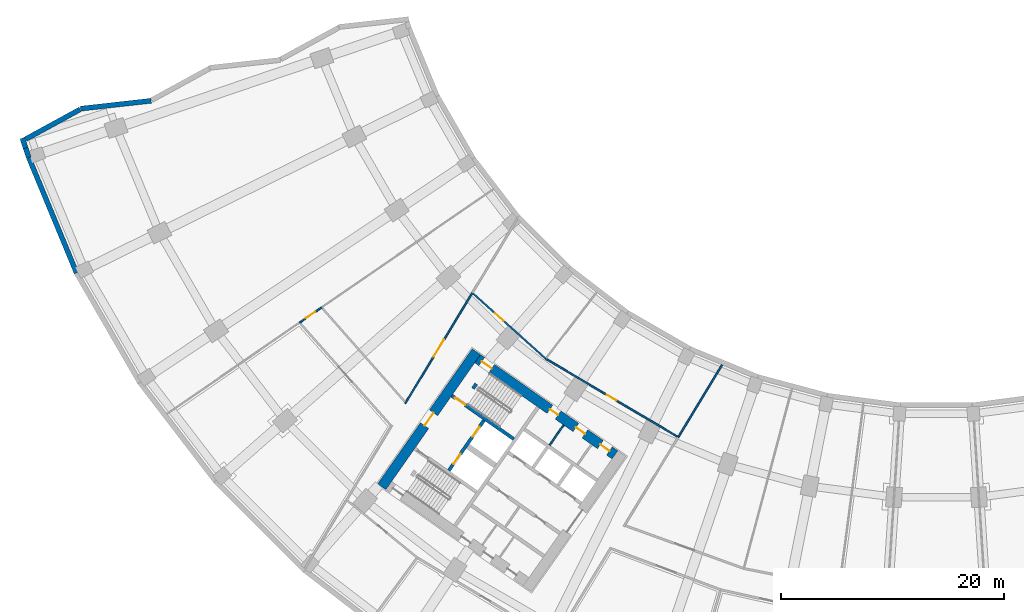
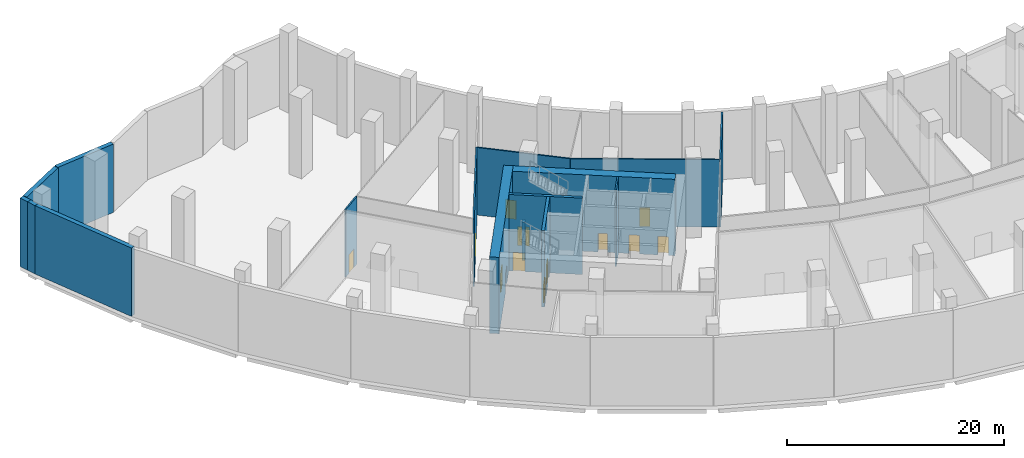
# One storey, part 6 of 17: 16 walls, 12 doors, 12 openings.
"""IFC4 building model written with IfcOpenShell, lengths in metres."""

from ifc_helpers import new_model, si_unit, direction, frame, frame_2d, origin, place, context, subcontext, project, spatial, rectangle, extrude, material, layer, layer_set, type_object, element, fill, save


model = new_model("IFC4")

# Units and contexts
model_context = context("Model", 3, precision=1e-05, world=origin(), true_north=direction((0.0, 1.0)))
body_context = subcontext(model_context, "Body", "Model", "MODEL_VIEW")
ifc_project = project(units=[si_unit("LENGTHUNIT", "METRE"), si_unit("AREAUNIT", "SQUARE_METRE"), si_unit("VOLUMEUNIT", "CUBIC_METRE"), si_unit("PLANEANGLEUNIT", "RADIAN"), si_unit("MASSUNIT", "GRAM", prefix="KILO")], contexts=[model_context])

# Site, building, storey
site_placement = place(None, origin())
site = spatial("IfcSite", under=ifc_project, at=site_placement, CompositionType="ELEMENT")
building_placement = place(site_placement, origin())
building = spatial("IfcBuilding", under=site, at=building_placement, Name="Qamariyya Broadcast Tower", CompositionType="ELEMENT")
storey_placement = place(building_placement, frame((0.0, 0.0, 18.0)))
storey = spatial("IfcBuildingStorey", under=building, at=storey_placement, Name="L02", CompositionType="ELEMENT", Elevation=18.0)

# Wall, opening, door
ifc_material_1 = material(Name="Concrete C70/85", Category="concrete")
ifc_layer_1 = layer(ifc_material_1, 0.89990234375)
ifc_layer_set_1 = layer_set([ifc_layer_1], Name="Core wall 900 mm Concrete C70/85")
wall_type_1 = type_object("IfcWallType", Name="Core wall 900 mm Concrete C70/85", PredefinedType="SHEAR", material=ifc_layer_set_1)
wall_1_placement = place(storey_placement, frame((-49.778564453125, -57.191162109375, 0.0), z_axis=(0.0, 0.0, 1.0), x_axis=(0.573577477574, 0.819151315216, 0.0)))
wall_1 = element("IfcWall", 1, at=wall_1_placement, inside=storey, type_object=wall_type_1, Name="k-W-L02-WH", PredefinedType="SHEAR", context=body_context, shape_type="SweptSolid", body=[
    extrude(rectangle(XDim=14.800048828125, YDim=0.89990234375, at=frame_2d((7.39990234375, 0.0))), origin(), (0.0, 0.0, 1.0), 8.60009765625),
])
opening_1_placement = place(wall_1_placement, frame((6.699951171875, 0.0, 0.0)))
opening_1 = element("IfcOpeningElement", 2, at=opening_1_placement, cuts=wall_1, Name="Opening KD2-W1", PredefinedType="OPENING", context=body_context, shape_type="SweptSolid", body=[
    extrude(rectangle(XDim=1.39990234375, YDim=2.10009765625, at=frame_2d((0.699951171875, 1.050048828125))), frame((0.0, 0.4599609375, 0.0), z_axis=(0.0, -1.0, 0.0), x_axis=(1.0, 0.0, 0.0)), (0.0, 0.0, 1.0), 0.919921875),
])
ifc_material_2 = material(Name="Steel fire-resisting door leaf", Category="steel")
door_type_1 = type_object("IfcDoorType", Name="Fire-fighting lobby door KD2", OperationType="DOUBLE_DOOR_SINGLE_SWING", PredefinedType="DOOR", material=ifc_material_2)
door_1_placement = place(opening_1_placement, origin())
door_1 = element("IfcDoor", 3, at=door_1_placement, inside=storey, type_object=door_type_1, Name="k-W-L02-WH-D15", OperationType="DOUBLE_DOOR_SINGLE_SWING", OverallHeight=2.10009765625, OverallWidth=1.39990234375, PredefinedType="DOOR", context=body_context, shape_type="SweptSolid", body=[
    extrude(rectangle(XDim=1.39990234375, YDim=2.10009765625, at=frame_2d((0.699951171875, 1.050048828125))), frame((0.0, 0.02490234375, 0.0), z_axis=(0.0, -1.0, 0.0), x_axis=(1.0, 0.0, 0.0)), (0.0, 0.0, 1.0), 0.050048828125),
])
fill(opening_1, door_1)

# Wall, openings, doors
wall_2_placement = place(storey_placement, frame((-28.8544921875, -54.32421875, 0.0), z_axis=(0.0, 0.0, 1.0), x_axis=(-0.819145767589, 0.573585400304, 0.0)))
wall_2 = element("IfcWall", 4, at=wall_2_placement, inside=storey, type_object=wall_type_1, Name="k-W-L02-WI", PredefinedType="SHEAR", context=body_context, shape_type="SweptSolid", body=[
    extrude(rectangle(XDim=15.04541015625, YDim=0.89990234375, at=frame_2d((7.522705078125, 0.0))), origin(), (0.0, 0.0, 1.0), 8.60009765625),
])
opening_2_placement = place(wall_2_placement, frame((0.60009765625, 0.0, 0.0)))
opening_2 = element("IfcOpeningElement", 5, at=opening_2_placement, cuts=wall_2, Name="Opening KD7-W1", PredefinedType="OPENING", context=body_context, shape_type="SweptSolid", body=[
    extrude(rectangle(XDim=1.0, YDim=2.10009765625, at=frame_2d((0.5, 1.050048828125))), frame((0.0, 0.4599609375, 0.0), z_axis=(0.0, -1.0, 0.0), x_axis=(1.0, 0.0, 0.0)), (0.0, 0.0, 1.0), 0.919921875),
])
opening_3_placement = place(wall_2_placement, frame((3.27490234375, 0.0, 0.0)))
opening_3 = element("IfcOpeningElement", 6, at=opening_3_placement, cuts=wall_2, Name="Opening KD6-W2", PredefinedType="OPENING", context=body_context, shape_type="SweptSolid", body=[
    extrude(rectangle(XDim=1.0, YDim=2.10009765625, at=frame_2d((0.5, 1.050048828125))), frame((0.0, 0.4599609375, 0.0), z_axis=(0.0, -1.0, 0.0), x_axis=(1.0, 0.0, 0.0)), (0.0, 0.0, 1.0), 0.919921875),
])
opening_4_placement = place(wall_2_placement, frame((6.22509765625, 0.0, 0.0)))
opening_4 = element("IfcOpeningElement", 7, at=opening_4_placement, cuts=wall_2, Name="Opening KD5-W1", PredefinedType="OPENING", context=body_context, shape_type="SweptSolid", body=[
    extrude(rectangle(XDim=0.89990234375, YDim=2.10009765625, at=frame_2d((0.449951171875, 1.050048828125))), frame((0.0, 0.4599609375, 0.0), z_axis=(0.0, -1.0, 0.0), x_axis=(1.0, 0.0, 0.0)), (0.0, 0.0, 1.0), 0.919921875),
])
opening_5_placement = place(wall_2_placement, frame((13.495361328125, 0.0, 0.0)))
opening_5 = element("IfcOpeningElement", 8, at=opening_5_placement, cuts=wall_2, Name="Opening KD1-W1", PredefinedType="OPENING", context=body_context, shape_type="SweptSolid", body=[
    extrude(rectangle(XDim=1.10009765625, YDim=2.10009765625, at=frame_2d((0.550048828125, 1.050048828125))), frame((0.0, 0.4599609375, 0.0), z_axis=(0.0, -1.0, 0.0), x_axis=(1.0, 0.0, 0.0)), (0.0, 0.0, 1.0), 0.919921875),
])
door_type_2 = type_object("IfcDoorType", Name="Accessible toilet door KD7", OperationType="SINGLE_SWING_LEFT", PredefinedType="DOOR", material=ifc_material_2)
door_2_placement = place(opening_2_placement, origin())
door_2 = element("IfcDoor", 9, at=door_2_placement, inside=storey, type_object=door_type_2, Name="k-W-L02-WI-D7", OperationType="SINGLE_SWING_RIGHT", OverallHeight=2.10009765625, OverallWidth=1.0, PredefinedType="DOOR", context=body_context, shape_type="SweptSolid", body=[
    extrude(rectangle(XDim=1.0, YDim=2.10009765625, at=frame_2d((0.5, 1.050048828125))), frame((0.0, 0.02490234375, 0.0), z_axis=(0.0, -1.0, 0.0), x_axis=(1.0, 0.0, 0.0)), (0.0, 0.0, 1.0), 0.050048828125),
])
fill(opening_2, door_2)
door_type_3 = type_object("IfcDoorType", Name="Core room door KD6", OperationType="SINGLE_SWING_LEFT", PredefinedType="DOOR", material=ifc_material_2)
door_3_placement = place(opening_3_placement, origin())
door_3 = element("IfcDoor", 10, at=door_3_placement, inside=storey, type_object=door_type_3, Name="k-W-L02-WI-D8", OperationType="SINGLE_SWING_LEFT", OverallHeight=2.10009765625, OverallWidth=1.0, PredefinedType="DOOR", context=body_context, shape_type="SweptSolid", body=[
    extrude(rectangle(XDim=1.0, YDim=2.10009765625, at=frame_2d((0.5, 1.050048828125))), frame((0.0, 0.02490234375, 0.0), z_axis=(0.0, -1.0, 0.0), x_axis=(1.0, 0.0, 0.0)), (0.0, 0.0, 1.0), 0.050048828125),
])
fill(opening_3, door_3)
door_type_4 = type_object("IfcDoorType", Name="Stair door KD1", OperationType="SINGLE_SWING_LEFT", PredefinedType="DOOR", material=ifc_material_2)
door_4_placement = place(opening_5_placement, origin())
door_4 = element("IfcDoor", 11, at=door_4_placement, inside=storey, type_object=door_type_4, Name="k-W-L02-WI-D16", OperationType="SINGLE_SWING_RIGHT", OverallHeight=2.10009765625, OverallWidth=1.10009765625, PredefinedType="DOOR", context=body_context, shape_type="SweptSolid", body=[
    extrude(rectangle(XDim=1.10009765625, YDim=2.10009765625, at=frame_2d((0.550048828125, 1.050048828125))), frame((0.0, 0.02490234375, 0.0), z_axis=(0.0, -1.0, 0.0), x_axis=(1.0, 0.0, 0.0)), (0.0, 0.0, 1.0), 0.050048828125),
])
fill(opening_5, door_4)
door_type_5 = type_object("IfcDoorType", Name="Toilet door KD5", OperationType="SINGLE_SWING_LEFT", PredefinedType="DOOR", material=ifc_material_2)
door_5_placement = place(opening_4_placement, origin())
door_5 = element("IfcDoor", 12, at=door_5_placement, inside=storey, type_object=door_type_5, Name="k-W-L02-WI-D9", OperationType="SINGLE_SWING_RIGHT", OverallHeight=2.10009765625, OverallWidth=0.89990234375, PredefinedType="DOOR", context=body_context, shape_type="SweptSolid", body=[
    extrude(rectangle(XDim=0.89990234375, YDim=2.10009765625, at=frame_2d((0.449951171875, 1.050048828125))), frame((0.0, 0.02490234375, 0.0), z_axis=(0.0, -1.0, 0.0), x_axis=(1.0, 0.0, 0.0)), (0.0, 0.0, 1.0), 0.050048828125),
])
fill(opening_4, door_5)

# Wall, opening, door
ifc_material_3 = material(Name="Gypsum board partition")
ifc_layer_2 = layer(ifc_material_3, 0.14990234375)
ifc_layer_set_2 = layer_set([ifc_layer_2], Name="Corridor partition 150 EI 60")
wall_type_2 = type_object("IfcWallType", Name="Corridor partition 150 EI 60", PredefinedType="PARTITIONING", material=ifc_layer_set_2)
wall_3_placement = place(storey_placement, frame((-57.156982421875, -42.4560546875, 0.0), z_axis=(0.0, 0.0, 1.0), x_axis=(0.823667994332, 0.567072336755, 0.0)))
wall_3 = element("IfcWall", 13, at=wall_3_placement, inside=storey, type_object=wall_type_2, Name="Partition L02-002", PredefinedType="PARTITIONING", context=body_context, shape_type="SweptSolid", body=[
    extrude(rectangle(XDim=2.4013671875, YDim=0.14990234375, at=frame_2d((1.20068359375, 0.0))), origin(), (0.0, 0.0, 1.0), 7.60009765625),
])
opening_6_placement = place(wall_3_placement, frame((0.70068359375, 0.0, 0.0)))
opening_6 = element("IfcOpeningElement", 14, at=opening_6_placement, cuts=wall_3, Name="Opening L02-D17", PredefinedType="OPENING", context=body_context, shape_type="SweptSolid", body=[
    extrude(rectangle(XDim=1.0, YDim=2.10009765625, at=frame_2d((0.5, 1.050048828125))), frame((0.0, 0.0849609375, 0.0), z_axis=(0.0, -1.0, 0.0), x_axis=(1.0, 0.0, 0.0)), (0.0, 0.0, 1.0), 0.169921875),
])
ifc_material_4 = material(Name="Timber fire door leaf", Category="wood")
door_type_6 = type_object("IfcDoorType", Name="Fire door 1000 x 2100 FD60", OperationType="NOTDEFINED", PredefinedType="DOOR", material=ifc_material_4)
door_6_placement = place(opening_6_placement, origin())
door_6 = element("IfcDoor", 15, at=door_6_placement, inside=storey, type_object=door_type_6, Name="Door L02-D17", OperationType="SINGLE_SWING_RIGHT", OverallHeight=2.10009765625, OverallWidth=1.0, PredefinedType="DOOR", context=body_context, shape_type="SweptSolid", body=[
    extrude(rectangle(XDim=1.0, YDim=2.10009765625, at=frame_2d((0.5, 1.050048828125))), frame((0.0, 0.02490234375, 0.0), z_axis=(0.0, -1.0, 0.0), x_axis=(1.0, 0.0, 0.0)), (0.0, 0.0, 1.0), 0.050048828125),
])
fill(opening_6, door_6)

wall_4_placement = place(storey_placement, frame((-47.6728515625, -49.70751953125, 0.0), z_axis=(0.0, 0.0, 1.0), x_axis=(0.519159839294, 0.854677167862, 0.0)))
wall_4 = element("IfcWall", 16, at=wall_4_placement, inside=storey, type_object=wall_type_2, Name="Partition L02-011", PredefinedType="PARTITIONING", context=body_context, shape_type="SweptSolid", body=[
    extrude(rectangle(XDim=11.604736328125, YDim=0.14990234375, at=frame_2d((5.80224609375, 0.0))), origin(), (0.0, 0.0, 1.0), 7.60009765625),
])
opening_7_placement = place(wall_4_placement, frame((4.90234375, 0.0, 0.0)))
opening_7 = element("IfcOpeningElement", 17, at=opening_7_placement, cuts=wall_4, Name="Opening L02-D15", PredefinedType="OPENING", context=body_context, shape_type="SweptSolid", body=[
    extrude(rectangle(XDim=1.800048828125, YDim=2.10009765625, at=frame_2d((0.89990234375, 1.050048828125))), frame((0.0, 0.0849609375, 0.0), z_axis=(0.0, -1.0, 0.0), x_axis=(1.0, 0.0, 0.0)), (0.0, 0.0, 1.0), 0.169921875),
])
door_type_7 = type_object("IfcDoorType", Name="Double fire door 1800 x 2100 FD60", OperationType="NOTDEFINED", PredefinedType="DOOR", material=ifc_material_4)
door_7_placement = place(opening_7_placement, origin())
door_7 = element("IfcDoor", 18, at=door_7_placement, inside=storey, type_object=door_type_7, Name="Door L02-D15", OperationType="DOUBLE_DOOR_SINGLE_SWING", OverallHeight=2.10009765625, OverallWidth=1.800048828125, PredefinedType="DOOR", context=body_context, shape_type="SweptSolid", body=[
    extrude(rectangle(XDim=1.800048828125, YDim=2.10009765625, at=frame_2d((0.89990234375, 1.050048828125))), frame((0.0, 0.02490234375, 0.0), z_axis=(0.0, -1.0, 0.0), x_axis=(1.0, 0.0, 0.0)), (0.0, 0.0, 1.0), 0.050048828125),
])
fill(opening_7, door_7)

wall_5_placement = place(storey_placement, frame((-41.59228515625, -39.83935546875, 0.0), z_axis=(0.0, 0.0, 1.0), x_axis=(0.744252572607, -0.667898276812, 0.0)))
wall_5 = element("IfcWall", 19, at=wall_5_placement, inside=storey, type_object=wall_type_2, Name="Partition L02-012", PredefinedType="PARTITIONING", context=body_context, shape_type="SweptSolid", body=[
    extrude(rectangle(XDim=8.770751953125, YDim=0.14990234375, at=frame_2d((4.38525390625, 0.0))), origin(), (0.0, 0.0, 1.0), 7.60009765625),
])
opening_8_placement = place(wall_5_placement, frame((2.685302734375, 0.0, 0.0)))
opening_8 = element("IfcOpeningElement", 20, at=opening_8_placement, cuts=wall_5, Name="Opening L02-D11", PredefinedType="OPENING", context=body_context, shape_type="SweptSolid", body=[
    extrude(rectangle(XDim=1.0, YDim=2.10009765625, at=frame_2d((0.5, 1.050048828125))), frame((0.0, 0.0849609375, 0.0), z_axis=(0.0, -1.0, 0.0), x_axis=(1.0, 0.0, 0.0)), (0.0, 0.0, 1.0), 0.169921875),
])
door_8_placement = place(opening_8_placement, origin())
door_8 = element("IfcDoor", 21, at=door_8_placement, inside=storey, type_object=door_type_6, Name="Door L02-D11", OperationType="SINGLE_SWING_LEFT", OverallHeight=2.10009765625, OverallWidth=1.0, PredefinedType="DOOR", context=body_context, shape_type="SweptSolid", body=[
    extrude(rectangle(XDim=1.0, YDim=2.10009765625, at=frame_2d((0.5, 1.050048828125))), frame((0.0, 0.02490234375, 0.0), z_axis=(0.0, -1.0, 0.0), x_axis=(1.0, 0.0, 0.0)), (0.0, 0.0, 1.0), 0.050048828125),
])
fill(opening_8, door_8)

wall_6_placement = place(storey_placement, frame((-35.064697265625, -45.697265625, 0.0), z_axis=(0.0, 0.0, 1.0), x_axis=(0.860638818745, -0.509215891022, 0.0)))
wall_6 = element("IfcWall", 22, at=wall_6_placement, inside=storey, type_object=wall_type_2, Name="Partition L02-014", PredefinedType="PARTITIONING", context=body_context, shape_type="SweptSolid", body=[
    extrude(rectangle(XDim=13.740966796875, YDim=0.14990234375, at=frame_2d((6.87060546875, 0.0))), origin(), (0.0, 0.0, 1.0), 7.60009765625),
])
opening_9_placement = place(wall_6_placement, frame((6.370361328125, 0.0, 0.0)))
opening_9 = element("IfcOpeningElement", 23, at=opening_9_placement, cuts=wall_6, Name="Opening L02-D12", PredefinedType="OPENING", context=body_context, shape_type="SweptSolid", body=[
    extrude(rectangle(XDim=1.0, YDim=2.10009765625, at=frame_2d((0.5, 1.050048828125))), frame((0.0, 0.0849609375, 0.0), z_axis=(0.0, -1.0, 0.0), x_axis=(1.0, 0.0, 0.0)), (0.0, 0.0, 1.0), 0.169921875),
])
door_9_placement = place(opening_9_placement, origin())
door_9 = element("IfcDoor", 24, at=door_9_placement, inside=storey, type_object=door_type_6, Name="Door L02-D12", OperationType="SINGLE_SWING_RIGHT", OverallHeight=2.10009765625, OverallWidth=1.0, PredefinedType="DOOR", context=body_context, shape_type="SweptSolid", body=[
    extrude(rectangle(XDim=1.0, YDim=2.10009765625, at=frame_2d((0.5, 1.050048828125))), frame((0.0, 0.02490234375, 0.0), z_axis=(0.0, -1.0, 0.0), x_axis=(1.0, 0.0, 0.0)), (0.0, 0.0, 1.0), 0.050048828125),
])
fill(opening_9, door_9)

# Walls
wall_7_placement = place(storey_placement, frame((-19.2314453125, -46.2490234375, 0.0), z_axis=(0.0, 0.0, 1.0), x_axis=(-0.519582509181, -0.854420280748, 0.0)))
element("IfcWall", 25, at=wall_7_placement, inside=storey, type_object=wall_type_2, Name="Partition L02-023", PredefinedType="PARTITIONING", context=body_context, shape_type="SweptSolid", body=[
    extrude(rectangle(XDim=7.588134765625, YDim=0.14990234375, at=frame_2d((3.7939453125, 0.0))), origin(), (0.0, 0.0, 1.0), 7.60009765625),
])
ifc_material_5 = material(Name="Gypsum board partition on steel studs", Category="steel")
ifc_layer_3 = layer(ifc_material_5, 0.14990234375)
ifc_layer_set_3 = layer_set([ifc_layer_3], Name="Gypsum board partition 150 mm")
wall_type_3 = type_object("IfcWallType", Name="Gypsum board partition 150 mm", PredefinedType="PARTITIONING", material=ifc_layer_set_3)
wall_8_placement = place(storey_placement, frame((-34.716064453125, -53.454833984375, 0.0), z_axis=(0.0, 0.0, 1.0), x_axis=(0.573507030513, 0.819200638399, 0.0)))
element("IfcWall", 26, at=wall_8_placement, inside=storey, type_object=wall_type_3, Name="k-W-L02-NP530", PredefinedType="PARTITIONING", context=body_context, shape_type="SweptSolid", body=[
    extrude(rectangle(XDim=2.199951171875, YDim=0.14990234375, at=frame_2d((1.10009765625, 0.0))), origin(), (0.0, 0.0, 1.0), 8.60009765625),
])

# Wall, opening, door
ifc_material_6 = material(Name="Concrete C60/75", Category="concrete")
ifc_layer_4 = layer(ifc_material_6, 0.300048828125)
ifc_layer_set_4 = layer_set([ifc_layer_4], Name="Lift shaft wall 300 mm Concrete C60/75")
wall_type_4 = type_object("IfcWallType", Name="Lift shaft wall 300 mm Concrete C60/75", PredefinedType="SOLIDWALL", material=ifc_layer_set_4)
wall_9_placement = place(storey_placement, frame((-37.935546875, -52.90966796875, 0.0), z_axis=(0.0, 0.0, 1.0), x_axis=(-0.819147518138, 0.57358290031, 0.0)))
wall_9 = element("IfcWall", 27, at=wall_9_placement, inside=storey, type_object=wall_type_4, Name="k-W-L02-NW", PredefinedType="SOLIDWALL", context=body_context, shape_type="SweptSolid", body=[
    extrude(rectangle(XDim=6.79541015625, YDim=0.300048828125, at=frame_2d((3.397705078125, 0.0))), origin(), (0.0, 0.0, 1.0), 8.60009765625),
])
opening_10_placement = place(wall_9_placement, frame((5.3203125, 0.0, 0.0)))
opening_10 = element("IfcOpeningElement", 28, at=opening_10_placement, cuts=wall_9, Name="Opening KD1-W2", PredefinedType="OPENING", context=body_context, shape_type="SweptSolid", body=[
    extrude(rectangle(XDim=1.10009765625, YDim=2.10009765625, at=frame_2d((0.550048828125, 1.050048828125))), frame((0.0, 0.159912109375, 0.0), z_axis=(0.0, -1.0, 0.0), x_axis=(1.0, 0.0, 0.0)), (0.0, 0.0, 1.0), 0.320068359375),
])
door_10_placement = place(opening_10_placement, origin())
door_10 = element("IfcDoor", 29, at=door_10_placement, inside=storey, type_object=door_type_4, Name="k-W-L02-NW-D17", OperationType="SINGLE_SWING_RIGHT", OverallHeight=2.10009765625, OverallWidth=1.10009765625, PredefinedType="DOOR", context=body_context, shape_type="SweptSolid", body=[
    extrude(rectangle(XDim=1.10009765625, YDim=2.10009765625, at=frame_2d((0.550048828125, 1.050048828125))), frame((0.0, 0.02490234375, 0.0), z_axis=(0.0, -1.0, 0.0), x_axis=(1.0, 0.0, 0.0)), (0.0, 0.0, 1.0), 0.050048828125),
])
fill(opening_10, door_10)

# Wall, openings, doors
wall_10_placement = place(storey_placement, frame((-43.756591796875, -55.731201171875, 0.0), z_axis=(0.0, 0.0, 1.0), x_axis=(0.573536818435, 0.819179783625, 0.0)))
wall_10 = element("IfcWall", 30, at=wall_10_placement, inside=storey, type_object=wall_type_4, Name="k-W-L02-FF", PredefinedType="SOLIDWALL", context=body_context, shape_type="SweptSolid", body=[
    extrude(rectangle(XDim=5.500244140625, YDim=0.300048828125, at=frame_2d((2.75, 0.0))), origin(), (0.0, 0.0, 1.0), 8.60009765625),
])
opening_11_placement = place(wall_10_placement, frame((0.699951171875, 0.0, 0.0)))
opening_11 = element("IfcOpeningElement", 31, at=opening_11_placement, cuts=wall_10, Name="Opening LD", PredefinedType="OPENING", context=body_context, shape_type="SweptSolid", body=[
    extrude(rectangle(XDim=1.10009765625, YDim=2.10009765625, at=frame_2d((0.550048828125, 1.050048828125))), frame((0.0, 0.159912109375, 0.0), z_axis=(0.0, -1.0, 0.0), x_axis=(1.0, 0.0, 0.0)), (0.0, 0.0, 1.0), 0.320068359375),
])
opening_12_placement = place(wall_10_placement, frame((3.699951171875, 0.0, 0.0)))
opening_12 = element("IfcOpeningElement", 32, at=opening_12_placement, cuts=wall_10, Name="Opening LD", PredefinedType="OPENING", context=body_context, shape_type="SweptSolid", body=[
    extrude(rectangle(XDim=1.10009765625, YDim=2.10009765625, at=frame_2d((0.550048828125, 1.050048828125))), frame((0.0, 0.159912109375, 0.0), z_axis=(0.0, -1.0, 0.0), x_axis=(1.0, 0.0, 0.0)), (0.0, 0.0, 1.0), 0.320068359375),
])
door_type_8 = type_object("IfcDoorType", Name="Lift landing door LD", OperationType="DOUBLE_DOOR_SLIDING", PredefinedType="DOOR", material=ifc_material_2)
door_11_placement = place(opening_11_placement, origin())
door_11 = element("IfcDoor", 33, at=door_11_placement, inside=storey, type_object=door_type_8, Name="k-W-L02-FF-D13", OperationType="DOUBLE_DOOR_SLIDING", OverallHeight=2.10009765625, OverallWidth=1.10009765625, PredefinedType="DOOR", context=body_context, shape_type="SweptSolid", body=[
    extrude(rectangle(XDim=1.10009765625, YDim=2.10009765625, at=frame_2d((0.550048828125, 1.050048828125))), frame((0.0, 0.02490234375, 0.0), z_axis=(0.0, -1.0, 0.0), x_axis=(1.0, 0.0, 0.0)), (0.0, 0.0, 1.0), 0.050048828125),
])
fill(opening_11, door_11)
door_12_placement = place(opening_12_placement, origin())
door_12 = element("IfcDoor", 34, at=door_12_placement, inside=storey, type_object=door_type_8, Name="k-W-L02-FF-D14", OperationType="DOUBLE_DOOR_SLIDING", OverallHeight=2.10009765625, OverallWidth=1.10009765625, PredefinedType="DOOR", context=body_context, shape_type="SweptSolid", body=[
    extrude(rectangle(XDim=1.10009765625, YDim=2.10009765625, at=frame_2d((0.550048828125, 1.050048828125))), frame((0.0, 0.02490234375, 0.0), z_axis=(0.0, -1.0, 0.0), x_axis=(1.0, 0.0, 0.0)), (0.0, 0.0, 1.0), 0.050048828125),
])
fill(opening_12, door_12)

# Walls
wall_11_placement = place(storey_placement, frame((-41.5869140625, -48.369140625, 0.0), z_axis=(0.0, 0.0, 1.0), x_axis=(0.573495128918, 0.819208970354, 0.0)))
element("IfcWall", 35, at=wall_11_placement, inside=storey, type_object=wall_type_4, Name="k-W-L02-W2PR", PredefinedType="SOLIDWALL", context=body_context, shape_type="SweptSolid", body=[
    extrude(rectangle(XDim=0.499755859375, YDim=0.300048828125, at=frame_2d((0.25, 0.0))), origin(), (0.0, 0.0, 1.0), 4.300048828125),
])
ifc_material_7 = material(Name="Precast concrete C40/50 with terracotta facing", Category="masonry")
ifc_layer_5 = layer(ifc_material_7, 0.449951171875)
ifc_layer_set_5 = layer_set([ifc_layer_5], Name="Precast concrete C40/50 wall 450, terracotta faced")
wall_type_5 = type_object("IfcWallType", Name="Precast concrete C40/50 wall 450, terracotta faced", PredefinedType="SOLIDWALL", material=ifc_layer_set_5)
wall_12_placement = place(storey_placement, frame((-70.4814453125, -22.548095703125, 0.0), z_axis=(0.0, 0.0, 1.0), x_axis=(-0.993813805196, -0.111059086081, 0.0)))
element("IfcWall", 36, at=wall_12_placement, inside=storey, type_object=wall_type_5, Name="e-wl-L02-capW4", PredefinedType="SOLIDWALL", context=body_context, shape_type="SweptSolid", body=[
    extrude(rectangle(XDim=6.36181640625, YDim=0.449951171875, at=frame_2d((3.180908203125, 0.0))), origin(), (0.0, 0.0, 1.0), 7.699951171875),
])
wall_13_placement = place(storey_placement, frame((-76.863037109375, -23.32373046875, 0.0), z_axis=(0.0, 0.0, 1.0), x_axis=(-0.877209140108, -0.480108450781, 0.0)))
element("IfcWall", 37, at=wall_13_placement, inside=storey, type_object=wall_type_5, Name="e-wl-L02-capW5", PredefinedType="SOLIDWALL", context=body_context, shape_type="SweptSolid", body=[
    extrude(rectangle(XDim=5.552978515625, YDim=0.449951171875, at=frame_2d((2.7763671875, 0.0))), origin(), (0.0, 0.0, 1.0), 7.699951171875),
])
wall_14_placement = place(storey_placement, frame((-82.031982421875, -25.90625, 0.0), z_axis=(0.0, 0.0, 1.0), x_axis=(0.311608566113, -0.950210556416, 0.0)))
element("IfcWall", 38, at=wall_14_placement, inside=storey, type_object=wall_type_5, Name="e-wl-L02-out00", PredefinedType="SOLIDWALL", context=body_context, shape_type="SweptSolid", body=[
    extrude(rectangle(XDim=0.936279296875, YDim=0.449951171875, at=frame_2d((0.46826171875, 0.0))), origin(), (0.0, 0.0, 1.0), 7.699951171875),
])
wall_15_placement = place(storey_placement, frame((-81.740234375, -26.7958984375, 0.0), z_axis=(0.0, 0.0, 1.0), x_axis=(0.311634105085, -0.950202180879, 0.0)))
element("IfcWall", 39, at=wall_15_placement, inside=storey, type_object=wall_type_5, Name="e-wl-L02-out01", PredefinedType="SOLIDWALL", context=body_context, shape_type="SweptSolid", body=[
    extrude(rectangle(XDim=0.90966796875, YDim=0.449951171875, at=frame_2d((0.454833984375, 0.0))), origin(), (0.0, 0.0, 1.0), 7.699951171875),
])
wall_16_placement = place(storey_placement, frame((-81.449462890625, -27.675537109375, 0.0), z_axis=(0.0, 0.0, 1.0), x_axis=(0.382700611107, -0.923872416656, 0.0)))
element("IfcWall", 40, at=wall_16_placement, inside=storey, type_object=wall_type_5, Name="e-wl-L02-out10", PredefinedType="SOLIDWALL", context=body_context, shape_type="SweptSolid", body=[
    extrude(rectangle(XDim=11.167724609375, YDim=0.449951171875, at=frame_2d((5.583984375, 0.0))), origin(), (0.0, 0.0, 1.0), 7.699951171875),
])

save(model, "model.ifc")
